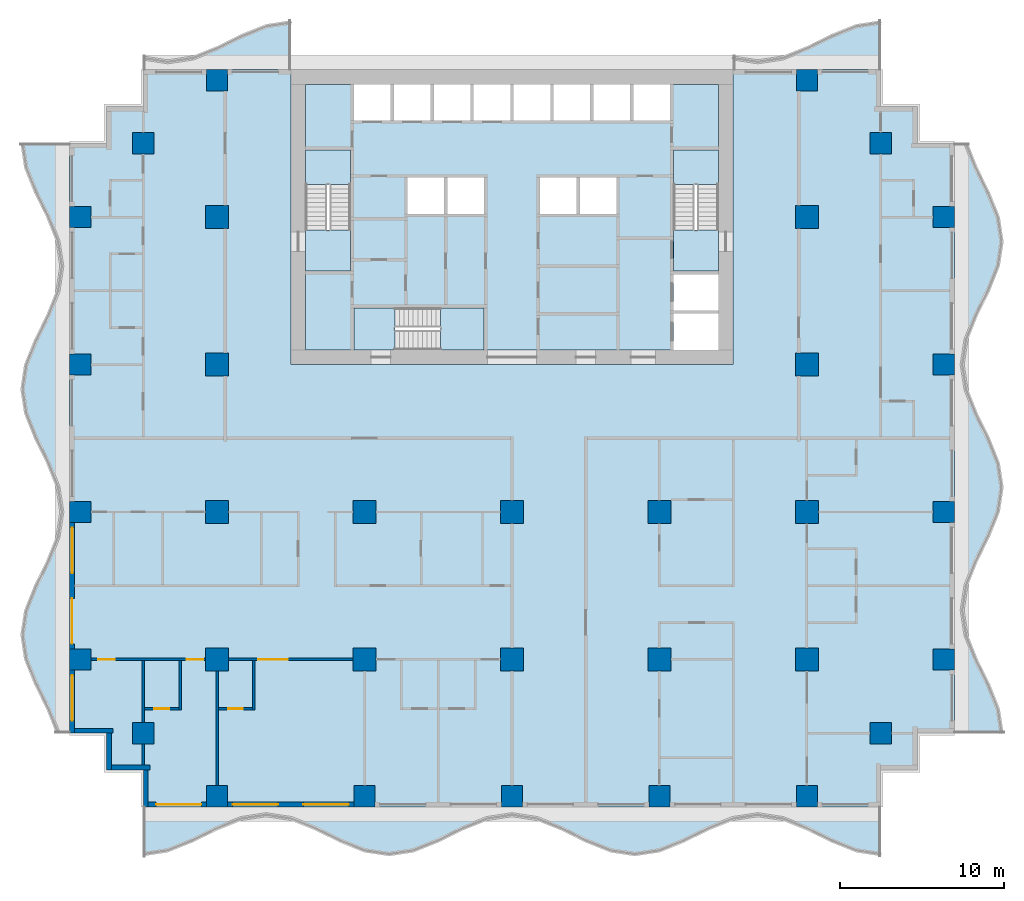
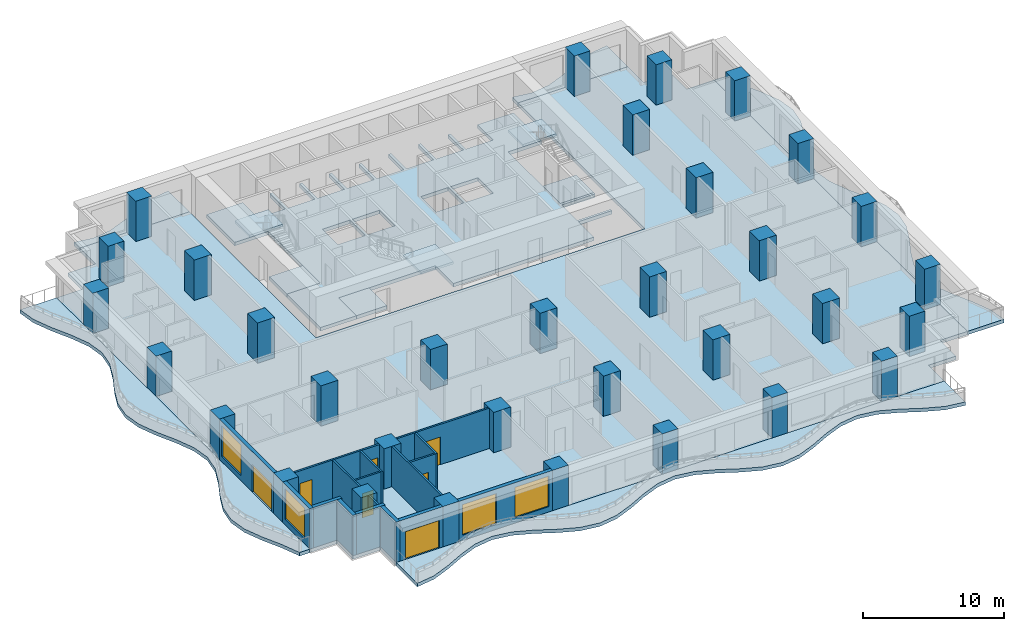
# One storey, part 1 of 14: 33 columns, 17 walls, 13 slabs, 7 doors, 4 windows, 11 openings, 3 elements without a shape of their own.
"""IFC4 building model written with IfcOpenShell, lengths in metres."""

from ifc_helpers import new_model, si_unit, direction, frame, frame_2d, origin, origin_2d, place, context, subcontext, project, spatial, polyline, rectangle, outline, extrude, material, layer, layer_set, material_profile, profile_set, type_object, element, fill, aggregate, save


model = new_model("IFC4")

# Units and contexts
model_context = context("Model", 3, precision=1e-05, world=origin(), true_north=direction((0.0, 1.0)))
body_context = subcontext(model_context, "Body", "Model", "MODEL_VIEW")
ifc_project = project(units=[si_unit("LENGTHUNIT", "METRE"), si_unit("AREAUNIT", "SQUARE_METRE"), si_unit("VOLUMEUNIT", "CUBIC_METRE"), si_unit("PLANEANGLEUNIT", "RADIAN"), si_unit("MASSUNIT", "GRAM", prefix="KILO")], contexts=[model_context])

# Site, building, storey
site_placement = place(None, origin())
site = spatial("IfcSite", under=ifc_project, at=site_placement, CompositionType="ELEMENT")
building_placement = place(site_placement, origin())
building = spatial("IfcBuilding", under=site, at=building_placement, Name="Orbiselva Terraces", CompositionType="ELEMENT")
storey_placement = place(building_placement, frame((0.0, 0.0, 84.6)))
storey = spatial("IfcBuildingStorey", under=building, at=storey_placement, Name="L21", CompositionType="ELEMENT", Elevation=84.6)

# Columns
ifc_material_1 = material(Name="Concrete C70/85", Category="concrete")
ifc_material_profile_1 = material_profile(ifc_material_1, rectangle(XDim=1.4, YDim=1.4, at=origin_2d()), Name="RC 1400x1400")
ifc_profile_set_1 = profile_set([ifc_material_profile_1], Name="Concrete C70/85")
column_type_1 = type_object("IfcColumnType", Name="COLUMN RC 1400x1400", PredefinedType="COLUMN", material=ifc_profile_set_1)
for number, where, z_axis, x_axis, name in (
    (1, (-18.0, -13.5, 0.0), (0.0, 0.0, 1.0), (1.0, 0.0, 0.0), "Column L21-01"),
    (2, (-18.0, -4.5, 0.0), (0.0, 0.0, 1.0), (1.0, 0.0, 0.0), "Column L21-03"),
    (3, (-18.0, 13.5, 0.0), (0.0, 0.0, 1.0), (1.0, 0.0, 0.0), "Column L21-04"),
    (4, (-18.0, 4.5, 0.0), (0.0, 0.0, 1.0), (1.0, 0.0, 0.0), "Column L21-06"),
    (5, (-9.0, -13.5, 0.0), (0.0, 0.0, 1.0), (1.0, 0.0, 0.0), "Column L21-13"),
    (6, (-9.0, -4.5, 0.0), (0.0, 0.0, 1.0), (1.0, 0.0, 0.0), "Column L21-15"),
    (7, (0.0, -13.5, 0.0), (0.0, 0.0, 1.0), (1.0, 0.0, 0.0), "Column L21-16"),
    (8, (0.0, -4.5, 0.0), (0.0, 0.0, 1.0), (1.0, 0.0, 0.0), "Column L21-18"),
    (9, (18.0, -13.5, 0.0), (0.0, 0.0, 1.0), (1.0, 0.0, 0.0), "Column L21-19"),
    (10, (18.0, -4.5, 0.0), (0.0, 0.0, 1.0), (1.0, 0.0, 0.0), "Column L21-21"),
    (11, (18.0, 13.5, 0.0), (0.0, 0.0, 1.0), (1.0, 0.0, 0.0), "Column L21-22"),
    (12, (18.0, 4.5, 0.0), (0.0, 0.0, 1.0), (1.0, 0.0, 0.0), "Column L21-24"),
    (13, (9.0, -13.5, 0.0), (0.0, 0.0, 1.0), (1.0, 0.0, 0.0), "Column L21-31"),
    (14, (9.0, -4.5, 0.0), (0.0, 0.0, 1.0), (1.0, 0.0, 0.0), "Column L21-33"),
):
    element("IfcColumn", number, at=place(storey_placement, frame(where, z_axis=z_axis, x_axis=x_axis)), inside=storey, type_object=column_type_1, Name=name, PredefinedType="COLUMN", context=body_context, shape_type="SweptSolid", body=[
        extrude(rectangle(XDim=1.4, YDim=1.4, at=origin_2d()), origin(), (0.0, 0.0, 1.0), 3.5),
    ])
ifc_material_profile_2 = material_profile(ifc_material_1, rectangle(XDim=1.3, YDim=1.3, at=origin_2d()), Name="RC 1300x1300")
ifc_profile_set_2 = profile_set([ifc_material_profile_2], Name="Concrete C70/85")
column_type_2 = type_object("IfcColumnType", Name="PERIMETER COLUMN RC 1300x1300", PredefinedType="COLUMN", material=ifc_profile_set_2)
for number, where, z_axis, x_axis, name in (
    (15, (-18.0, -21.85, 0.0), (0.0, 0.0, 1.0), (1.0, 0.0, 0.0), "Column L21-02"),
    (16, (-18.0, 21.85, 0.0), (0.0, 0.0, 1.0), (1.0, 0.0, 0.0), "Column L21-05"),
    (17, (-26.35, -13.5, 0.0), (0.0, 0.0, 1.0), (1.0, 0.0, 0.0), "Column L21-07"),
    (18, (-22.5, -18.0, 0.0), (0.0, 0.0, 1.0), (1.0, 0.0, 0.0), "Column L21-08"),
    (19, (-26.35, -4.5, 0.0), (0.0, 0.0, 1.0), (1.0, 0.0, 0.0), "Column L21-09"),
    (20, (-26.35, 13.5, 0.0), (0.0, 0.0, 1.0), (1.0, 0.0, 0.0), "Column L21-10"),
    (21, (-22.5, 18.0, 0.0), (0.0, 0.0, 1.0), (1.0, 0.0, 0.0), "Column L21-11"),
    (22, (-26.35, 4.5, 0.0), (0.0, 0.0, 1.0), (1.0, 0.0, 0.0), "Column L21-12"),
    (23, (-9.0, -21.85, 0.0), (0.0, 0.0, 1.0), (1.0, 0.0, 0.0), "Column L21-14"),
    (24, (0.0, -21.85, 0.0), (0.0, 0.0, 1.0), (1.0, 0.0, 0.0), "Column L21-17"),
    (25, (18.0, -21.85, 0.0), (0.0, 0.0, 1.0), (1.0, 0.0, 0.0), "Column L21-20"),
    (26, (18.0, 21.85, 0.0), (0.0, 0.0, 1.0), (1.0, 0.0, 0.0), "Column L21-23"),
    (27, (26.35, -13.5, 0.0), (0.0, 0.0, 1.0), (1.0, 0.0, 0.0), "Column L21-25"),
    (28, (22.5, -18.0, 0.0), (0.0, 0.0, 1.0), (1.0, 0.0, 0.0), "Column L21-26"),
    (29, (26.35, -4.5, 0.0), (0.0, 0.0, 1.0), (1.0, 0.0, 0.0), "Column L21-27"),
    (30, (26.35, 13.5, 0.0), (0.0, 0.0, 1.0), (1.0, 0.0, 0.0), "Column L21-28"),
    (31, (22.5, 18.0, 0.0), (0.0, 0.0, 1.0), (1.0, 0.0, 0.0), "Column L21-29"),
    (32, (26.35, 4.5, 0.0), (0.0, 0.0, 1.0), (1.0, 0.0, 0.0), "Column L21-30"),
    (33, (9.0, -21.85, 0.0), (0.0, 0.0, 1.0), (1.0, 0.0, 0.0), "Column L21-32"),
):
    element("IfcColumn", number, at=place(storey_placement, frame(where, z_axis=z_axis, x_axis=x_axis)), inside=storey, type_object=column_type_2, Name=name, PredefinedType="COLUMN", context=body_context, shape_type="SweptSolid", body=[
        extrude(rectangle(XDim=1.3, YDim=1.3, at=origin_2d()), origin(), (0.0, 0.0, 1.0), 3.5),
    ])

# Slabs
ifc_material_2 = material(Name="Concrete C40/50", Category="concrete")
ifc_layer_1 = layer(ifc_material_2, 0.3)
ifc_layer_set_1 = layer_set([ifc_layer_1], Name="Concrete C40/50")
slab_type_1 = type_object("IfcSlabType", Name="CORE-SLAB-FLOOR-300", PredefinedType="FLOOR", material=ifc_layer_set_1)
slab_1_placement = place(storey_placement, frame((0.0, 0.0, -0.3)))
element("IfcSlab", 34, at=slab_1_placement, inside=storey, type_object=slab_type_1, Name="L21 S1 floor landing", PredefinedType="FLOOR", context=body_context, shape_type="SweptSolid", body=[
    extrude(outline(polyline([(-12.6, 12.7), (-9.85, 12.7), (-9.85, 10.2), (-12.6, 10.2), (-12.6, 12.7)])), origin(), (0.0, 0.0, 1.0), 0.3),
])
slab_2_placement = place(storey_placement, frame((0.0, 0.0, -0.3)))
element("IfcSlab", 35, at=slab_2_placement, inside=storey, type_object=slab_type_1, Name="L21 S2 floor landing", PredefinedType="FLOOR", context=body_context, shape_type="SweptSolid", body=[
    extrude(outline(polyline([(12.6, 12.7), (12.6, 10.2), (9.85, 10.2), (9.85, 12.7), (12.6, 12.7)])), origin(), (0.0, 0.0, 1.0), 0.3),
])
slab_3_placement = place(storey_placement, frame((0.0, 0.0, -0.3)))
element("IfcSlab", 36, at=slab_3_placement, inside=storey, type_object=slab_type_1, Name="L21 S3 floor landing", PredefinedType="FLOOR", context=body_context, shape_type="SweptSolid", body=[
    extrude(outline(polyline([(-7.15, 5.4), (-9.65, 5.4), (-9.65, 7.95), (-7.15, 7.95), (-7.15, 5.4)])), origin(), (0.0, 0.0, 1.0), 0.3),
])
slab_4_placement = place(storey_placement, frame((0.0, 0.0, -0.3)))
element("IfcSlab", 37, at=slab_4_placement, inside=storey, type_object=slab_type_1, Name="L21 core floor slab 1", PredefinedType="FLOOR", context=body_context, shape_type="SweptSolid", body=[
    extrude(outline(polyline([(-1.7, 5.4), (-1.7, 7.95), (-9.65, 7.95), (-9.65, 5.4), (-12.6, 5.4), (-12.6, 10.2), (-9.85, 10.2), (-9.85, 17.6), (-12.6, 17.6), (-12.6, 21.6), (-9.65, 21.6), (-9.65, 19.4), (-7.4125, 19.4), (-7.4125, 21.6), (-7.2125, 21.6), (-7.2125, 19.4), (-4.975, 19.4), (-4.975, 21.6), (-4.775, 21.6), (-4.775, 19.4), (-2.5375, 19.4), (-2.5375, 21.6), (-2.3375, 21.6), (-2.3375, 19.4), (-0.1, 19.4), (-0.1, 21.6), (0.1, 21.6), (0.1, 19.4), (2.3375, 19.4), (2.3375, 21.6), (2.5375, 21.6), (2.5375, 19.4), (4.775, 19.4), (4.775, 21.6), (4.975, 21.6), (4.975, 19.4), (7.2125, 19.4), (7.2125, 21.6), (7.4125, 21.6), (7.4125, 19.4), (9.65, 19.4), (9.65, 21.6), (12.6, 21.6), (12.6, 17.6), (9.85, 17.6), (9.85, 10.2), (12.6, 10.2), (12.6, 10.0), (9.85, 10.0), (9.85, 7.8), (12.6, 7.8), (12.6, 7.6), (9.85, 7.6), (9.85, 5.4), (-1.7, 5.4)]), holes=[polyline([(-4.1375, 13.7), (-4.1375, 15.9), (-6.375, 15.9), (-6.375, 13.7), (-4.1375, 13.7)]), polyline([(-1.7, 13.7), (-1.7, 15.9), (-3.9375, 15.9), (-3.9375, 13.7), (-1.7, 13.7)]), polyline([(3.9375, 13.7), (3.9375, 15.9), (1.7, 15.9), (1.7, 13.7), (3.9375, 13.7)]), polyline([(6.375, 13.7), (6.375, 15.9), (4.1375, 15.9), (4.1375, 13.7), (6.375, 13.7)])]), origin(), (0.0, 0.0, 1.0), 0.3),
])

# Stair, slab
stair_type_1 = type_object("IfcStairType", Name="CORE-STAIR-1300", PredefinedType="HALF_TURN_STAIR", material=ifc_material_2)
stair_1_placement = place(storey_placement, origin())
stair_1 = element("IfcStair", 38, at=stair_1_placement, inside=storey, type_object=stair_type_1, Name="L21 Exit Stair S1", PredefinedType="HALF_TURN_STAIR")
ifc_layer_2 = layer(ifc_material_2, 0.2)
ifc_layer_set_2 = layer_set([ifc_layer_2], Name="Concrete C40/50")
slab_type_2 = type_object("IfcSlabType", Name="CORE-STAIR-LANDING-200", PredefinedType="LANDING", material=ifc_layer_set_2)
slab_5_placement = place(storey_placement, frame((0.0, 0.0, 1.7)))
slab_5 = element("IfcSlab", 39, at=slab_5_placement, type_object=slab_type_2, Name="S1 landing 1", PredefinedType="LANDING", context=body_context, shape_type="SweptSolid", body=[
    extrude(outline(polyline([(-9.85, 15.5), (-9.85, 17.6), (-12.6, 17.6), (-12.6, 15.5), (-9.85, 15.5)])), origin(), (0.0, 0.0, 1.0), 0.2),
])
aggregate(stair_1, [slab_5])

stair_2_placement = place(storey_placement, origin())
stair_2 = element("IfcStair", 40, at=stair_2_placement, inside=storey, type_object=stair_type_1, Name="L21 Exit Stair S2", PredefinedType="HALF_TURN_STAIR")
slab_6_placement = place(storey_placement, frame((0.0, 0.0, 1.7)))
slab_6 = element("IfcSlab", 41, at=slab_6_placement, type_object=slab_type_2, Name="S2 landing 1", PredefinedType="LANDING", context=body_context, shape_type="SweptSolid", body=[
    extrude(outline(polyline([(12.6, 15.5), (12.6, 17.6), (9.85, 17.6), (9.85, 15.5), (12.6, 15.5)])), origin(), (0.0, 0.0, 1.0), 0.2),
])
aggregate(stair_2, [slab_6])

stair_type_2 = type_object("IfcStairType", Name="CORE-STAIR-1200", PredefinedType="HALF_TURN_STAIR", material=ifc_material_2)
stair_3_placement = place(storey_placement, origin())
stair_3 = element("IfcStair", 42, at=stair_3_placement, inside=storey, type_object=stair_type_2, Name="L21 Exit Stair S3", PredefinedType="HALF_TURN_STAIR")
slab_7_placement = place(storey_placement, frame((0.0, 0.0, 1.7)))
slab_7 = element("IfcSlab", 43, at=slab_7_placement, type_object=slab_type_2, Name="S3 landing 1", PredefinedType="LANDING", context=body_context, shape_type="SweptSolid", body=[
    extrude(outline(polyline([(-4.35, 5.4), (-1.7, 5.4), (-1.7, 7.95), (-4.35, 7.95), (-4.35, 5.4)])), origin(), (0.0, 0.0, 1.0), 0.2),
])
aggregate(stair_3, [slab_7])

# Slabs
ifc_material_3 = material(Name="Concrete C50/60", Category="concrete")
ifc_layer_3 = layer(ifc_material_3, 0.3)
ifc_layer_set_3 = layer_set([ifc_layer_3], Name="Concrete C50/60")
slab_type_3 = type_object("IfcSlabType", Name="ENV-BALCONY-SLAB-300", PredefinedType="FLOOR", material=ifc_layer_set_3)
slab_8_placement = place(storey_placement, frame((0.0, 0.0, -0.3)))
element("IfcSlab", 44, at=slab_8_placement, inside=storey, type_object=slab_type_3, Name="Balcony slab L21 S", PredefinedType="FLOOR", context=body_context, shape_type="SweptSolid", body=[
    extrude(outline(polyline([(-22.5, -25.5), (-21.0, -25.27082), (-19.5, -24.67082), (-18.0, -23.92918), (-16.5, -23.32918), (-15.0, -23.1), (-13.5, -23.32918), (-12.0, -23.92918), (-10.5, -24.67082), (-9.0, -25.27082), (-7.5, -25.5), (-6.0, -25.27082), (-4.5, -24.67082), (-3.0, -23.92918), (-1.5, -23.32918), (0.0, -23.1), (1.5, -23.32918), (3.0, -23.92918), (4.5, -24.67082), (6.0, -25.27082), (7.5, -25.5), (9.0, -25.27082), (10.5, -24.67082), (12.0, -23.92918), (13.5, -23.32918), (15.0, -23.1), (16.5, -23.32918), (18.0, -23.92918), (19.5, -24.67082), (21.0, -25.27082), (22.5, -25.5), (22.5, -22.5), (-22.5, -22.5), (-22.5, -25.5)])), origin(), (0.0, 0.0, 1.0), 0.3),
])
slab_9_placement = place(storey_placement, frame((0.0, 0.0, -0.3)))
element("IfcSlab", 45, at=slab_9_placement, inside=storey, type_object=slab_type_3, Name="Balcony slab L21 E", PredefinedType="FLOOR", context=body_context, shape_type="SweptSolid", body=[
    extrude(outline(polyline([(30.0, -18.0), (29.77082, -16.5), (29.17082, -15.0), (28.42918, -13.5), (27.82918, -12.0), (27.6, -10.5), (27.82918, -9.0), (28.42918, -7.5), (29.17082, -6.0), (29.77082, -4.5), (30.0, -3.0), (29.77082, -1.5), (29.17082, 0.0), (28.42918, 1.5), (27.82918, 3.0), (27.6, 4.5), (27.82918, 6.0), (28.42918, 7.5), (29.17082, 9.0), (29.77082, 10.5), (30.0, 12.0), (29.77082, 13.5), (29.17082, 15.0), (28.42918, 16.5), (27.82918, 18.0), (27.0, 18.0), (27.0, -18.0), (30.0, -18.0)])), origin(), (0.0, 0.0, 1.0), 0.3),
])
slab_10_placement = place(storey_placement, frame((0.0, 0.0, -0.3)))
element("IfcSlab", 46, at=slab_10_placement, inside=storey, type_object=slab_type_3, Name="Balcony slab L21 NE", PredefinedType="FLOOR", context=body_context, shape_type="SweptSolid", body=[
    extrude(outline(polyline([(22.5, 25.5), (21.0, 25.27082), (19.5, 24.67082), (18.0, 23.92918), (16.5, 23.32918), (15.0, 23.1), (13.5, 23.32918), (13.5, 22.5), (22.5, 22.5), (22.5, 25.5)])), origin(), (0.0, 0.0, 1.0), 0.3),
])
slab_11_placement = place(storey_placement, frame((0.0, 0.0, -0.3)))
element("IfcSlab", 47, at=slab_11_placement, inside=storey, type_object=slab_type_3, Name="Balcony slab L21 NW", PredefinedType="FLOOR", context=body_context, shape_type="SweptSolid", body=[
    extrude(outline(polyline([(-13.5, 25.5), (-15.0, 25.27082), (-16.5, 24.67082), (-18.0, 23.92918), (-19.5, 23.32918), (-21.0, 23.1), (-22.5, 23.32918), (-22.5, 22.5), (-13.5, 22.5), (-13.5, 25.5)])), origin(), (0.0, 0.0, 1.0), 0.3),
])
slab_12_placement = place(storey_placement, frame((0.0, 0.0, -0.3)))
element("IfcSlab", 48, at=slab_12_placement, inside=storey, type_object=slab_type_3, Name="Balcony slab L21 W", PredefinedType="FLOOR", context=body_context, shape_type="SweptSolid", body=[
    extrude(outline(polyline([(-30.0, 18.0), (-29.77082, 16.5), (-29.17082, 15.0), (-28.42918, 13.5), (-27.82918, 12.0), (-27.6, 10.5), (-27.82918, 9.0), (-28.42918, 7.5), (-29.17082, 6.0), (-29.77082, 4.5), (-30.0, 3.0), (-29.77082, 1.5), (-29.17082, 0.0), (-28.42918, -1.5), (-27.82918, -3.0), (-27.6, -4.5), (-27.82918, -6.0), (-28.42918, -7.5), (-29.17082, -9.0), (-29.77082, -10.5), (-30.0, -12.0), (-29.77082, -13.5), (-29.17082, -15.0), (-28.42918, -16.5), (-27.82918, -18.0), (-27.0, -18.0), (-27.0, 18.0), (-30.0, 18.0)])), origin(), (0.0, 0.0, 1.0), 0.3),
])
ifc_layer_4 = layer(ifc_material_3, 0.3)
ifc_layer_set_4 = layer_set([ifc_layer_4], Name="Concrete C50/60")
slab_type_4 = type_object("IfcSlabType", Name="FLOOR SLAB 300", PredefinedType="FLOOR", material=ifc_layer_set_4)
slab_13_placement = place(storey_placement, frame((0.0, 0.0, -0.3)))
element("IfcSlab", 49, at=slab_13_placement, inside=storey, type_object=slab_type_4, Name="Floor slab L21", PredefinedType="FLOOR", context=body_context, shape_type="SweptSolid", body=[
    extrude(outline(polyline([(22.5, 22.5), (22.5, 20.25), (24.75, 20.25), (24.75, 18.0), (27.0, 18.0), (27.0, -18.0), (24.75, -18.0), (24.75, -20.25), (22.5, -20.25), (22.5, -22.5), (-22.5, -22.5), (-22.5, -20.25), (-24.75, -20.25), (-24.75, -18.0), (-27.0, -18.0), (-27.0, 18.0), (-24.75, 18.0), (-24.75, 20.25), (-22.5, 20.25), (-22.5, 22.5), (-13.5, 22.5), (-13.5, 4.5), (13.5, 4.5), (13.5, 22.5), (22.5, 22.5)])), origin(), (0.0, 0.0, 1.0), 0.3),
])

# Wall, opening, door
ifc_material_4 = material(Name="Terracotta cladding on masonry backing", Category="masonry")
ifc_layer_5 = layer(ifc_material_4, 0.3)
ifc_layer_set_5 = layer_set([ifc_layer_5], Name="Terracotta cladding on masonry backing")
wall_type_1 = type_object("IfcWallType", Name="ENV-WALL-TERRACOTTA-300", PredefinedType="SOLIDWALL", material=ifc_layer_set_5)
wall_1_placement = place(storey_placement, frame((-18.65, -22.35, 0.0), z_axis=(0.0, 0.0, 1.0), x_axis=(-1.0, 0.0, 0.0)))
wall_1 = element("IfcWall", 50, at=wall_1_placement, inside=storey, type_object=wall_type_1, Name="Facade wall L21 S", PredefinedType="SOLIDWALL", context=body_context, shape_type="SweptSolid", body=[
    extrude(rectangle(XDim=3.55, YDim=0.3, at=frame_2d((1.775, 0.0))), origin(), (0.0, 0.0, 1.0), 3.5),
])
opening_1_placement = place(wall_1_placement, frame((0.3, 0.0, 0.0)))
opening_1 = element("IfcOpeningElement", 51, at=opening_1_placement, cuts=wall_1, Name="Opening Z2-B-E01", PredefinedType="OPENING", context=body_context, shape_type="SweptSolid", body=[
    extrude(rectangle(XDim=2.775, YDim=2.4, at=frame_2d((1.3875, 1.2))), frame((0.0, 0.16, 0.0), z_axis=(0.0, -1.0, 0.0), x_axis=(1.0, 0.0, 0.0)), (0.0, 0.0, 1.0), 0.32),
])
ifc_material_5 = material(Name="Clear low-e glazing in aluminium frame", Category="aluminium")
door_type_1 = type_object("IfcDoorType", Name="BALCONY DOOR 2775 X 2400", OperationType="DOUBLE_DOOR_SLIDING", PredefinedType="DOOR", material=ifc_material_5)
door_1_placement = place(opening_1_placement, origin())
door_1 = element("IfcDoor", 52, at=door_1_placement, inside=storey, type_object=door_type_1, Name="Z2-B-E01", OperationType="SINGLE_SWING_LEFT", OverallHeight=2.4, OverallWidth=2.775, PredefinedType="DOOR", context=body_context, shape_type="SweptSolid", body=[
    extrude(rectangle(XDim=2.775, YDim=2.4, at=frame_2d((1.3875, 1.2))), frame((0.0, 0.025, 0.0), z_axis=(0.0, -1.0, 0.0), x_axis=(1.0, 0.0, 0.0)), (0.0, 0.0, 1.0), 0.05),
])
fill(opening_1, door_1)

# Wall, openings, windows
wall_2_placement = place(storey_placement, frame((-9.65, -22.35, 0.0), z_axis=(0.0, 0.0, 1.0), x_axis=(-1.0, 0.0, 0.0)))
wall_2 = element("IfcWall", 53, at=wall_2_placement, inside=storey, type_object=wall_type_1, Name="Facade wall L21 S", PredefinedType="SOLIDWALL", context=body_context, shape_type="SweptSolid", body=[
    extrude(rectangle(XDim=7.7, YDim=0.3, at=frame_2d((3.85, 0.0))), origin(), (0.0, 0.0, 1.0), 3.5),
])
opening_2_placement = place(wall_2_placement, frame((4.625, 0.0, 0.45)))
opening_2 = element("IfcOpeningElement", 54, at=opening_2_placement, cuts=wall_2, Name="Opening WN6", PredefinedType="OPENING", context=body_context, shape_type="SweptSolid", body=[
    extrude(rectangle(XDim=2.775, YDim=2.65, at=frame_2d((1.3875, 1.325))), frame((0.0, 0.16, 0.0), z_axis=(0.0, -1.0, 0.0), x_axis=(1.0, 0.0, 0.0)), (0.0, 0.0, 1.0), 0.32),
])
opening_3_placement = place(wall_2_placement, frame((0.3, 0.0, 0.45)))
opening_3 = element("IfcOpeningElement", 55, at=opening_3_placement, cuts=wall_2, Name="Opening WN6", PredefinedType="OPENING", context=body_context, shape_type="SweptSolid", body=[
    extrude(rectangle(XDim=2.775, YDim=2.65, at=frame_2d((1.3875, 1.325))), frame((0.0, 0.16, 0.0), z_axis=(0.0, -1.0, 0.0), x_axis=(1.0, 0.0, 0.0)), (0.0, 0.0, 1.0), 0.32),
])
window_type = type_object("IfcWindowType", Name="WINDOW 2775 X 2650 S450", PartitioningType="TRIPLE_PANEL_VERTICAL", PredefinedType="WINDOW", material=ifc_material_5)
window_1_placement = place(opening_2_placement, origin())
window_1 = element("IfcWindow", 56, at=window_1_placement, inside=storey, type_object=window_type, Name="Window L21 S", OverallHeight=2.65, OverallWidth=2.775, PartitioningType="SINGLE_PANEL", PredefinedType="WINDOW", context=body_context, shape_type="SweptSolid", body=[
    extrude(rectangle(XDim=2.775, YDim=2.65, at=frame_2d((1.3875, 1.325))), frame((0.0, 0.03, 0.0), z_axis=(0.0, -1.0, 0.0), x_axis=(1.0, 0.0, 0.0)), (0.0, 0.0, 1.0), 0.06),
])
fill(opening_2, window_1)
window_2_placement = place(opening_3_placement, origin())
window_2 = element("IfcWindow", 57, at=window_2_placement, inside=storey, type_object=window_type, Name="Window L21 S", OverallHeight=2.65, OverallWidth=2.775, PartitioningType="SINGLE_PANEL", PredefinedType="WINDOW", context=body_context, shape_type="SweptSolid", body=[
    extrude(rectangle(XDim=2.775, YDim=2.65, at=frame_2d((1.3875, 1.325))), frame((0.0, 0.03, 0.0), z_axis=(0.0, -1.0, 0.0), x_axis=(1.0, 0.0, 0.0)), (0.0, 0.0, 1.0), 0.06),
])
fill(opening_3, window_2)

# Wall, openings, door, window
wall_3_placement = place(storey_placement, frame((-26.85, -12.85, 0.0), z_axis=(0.0, 0.0, 1.0), x_axis=(0.0, 1.0, 0.0)))
wall_3 = element("IfcWall", 58, at=wall_3_placement, inside=storey, type_object=wall_type_1, Name="Facade wall L21 W", PredefinedType="SOLIDWALL", context=body_context, shape_type="SweptSolid", body=[
    extrude(rectangle(XDim=7.7, YDim=0.3, at=frame_2d((3.85, 0.0))), origin(), (0.0, 0.0, 1.0), 3.5),
])
opening_4_placement = place(wall_3_placement, frame((4.625, 0.0, 0.45)))
opening_4 = element("IfcOpeningElement", 59, at=opening_4_placement, cuts=wall_3, Name="Opening WN6", PredefinedType="OPENING", context=body_context, shape_type="SweptSolid", body=[
    extrude(rectangle(XDim=2.775, YDim=2.65, at=frame_2d((1.3875, 1.325))), frame((0.0, 0.16, 0.0), z_axis=(0.0, -1.0, 0.0), x_axis=(1.0, 0.0, 0.0)), (0.0, 0.0, 1.0), 0.32),
])
opening_5_placement = place(wall_3_placement, frame((0.3, 0.0, 0.0)))
opening_5 = element("IfcOpeningElement", 60, at=opening_5_placement, cuts=wall_3, Name="Opening Z2-B-E13", PredefinedType="OPENING", context=body_context, shape_type="SweptSolid", body=[
    extrude(rectangle(XDim=2.775, YDim=2.4, at=frame_2d((1.3875, 1.2))), frame((0.0, 0.16, 0.0), z_axis=(0.0, -1.0, 0.0), x_axis=(1.0, 0.0, 0.0)), (0.0, 0.0, 1.0), 0.32),
])
door_2_placement = place(opening_5_placement, origin())
door_2 = element("IfcDoor", 61, at=door_2_placement, inside=storey, type_object=door_type_1, Name="Z2-B-E13", OperationType="SINGLE_SWING_LEFT", OverallHeight=2.4, OverallWidth=2.775, PredefinedType="DOOR", context=body_context, shape_type="SweptSolid", body=[
    extrude(rectangle(XDim=2.775, YDim=2.4, at=frame_2d((1.3875, 1.2))), frame((0.0, 0.025, 0.0), z_axis=(0.0, -1.0, 0.0), x_axis=(1.0, 0.0, 0.0)), (0.0, 0.0, 1.0), 0.05),
])
fill(opening_5, door_2)
window_3_placement = place(opening_4_placement, origin())
window_3 = element("IfcWindow", 62, at=window_3_placement, inside=storey, type_object=window_type, Name="Window L21 W", OverallHeight=2.65, OverallWidth=2.775, PartitioningType="SINGLE_PANEL", PredefinedType="WINDOW", context=body_context, shape_type="SweptSolid", body=[
    extrude(rectangle(XDim=2.775, YDim=2.65, at=frame_2d((1.3875, 1.325))), frame((0.0, 0.03, 0.0), z_axis=(0.0, -1.0, 0.0), x_axis=(1.0, 0.0, 0.0)), (0.0, 0.0, 1.0), 0.06),
])
fill(opening_4, window_3)

# Wall, opening, window
wall_4_placement = place(storey_placement, frame((-26.85, -18.0, 0.0), z_axis=(0.0, 0.0, 1.0), x_axis=(0.0, 1.0, 0.0)))
wall_4 = element("IfcWall", 63, at=wall_4_placement, inside=storey, type_object=wall_type_1, Name="Facade wall L21 W", PredefinedType="SOLIDWALL", context=body_context, shape_type="SweptSolid", body=[
    extrude(rectangle(XDim=3.85, YDim=0.3, at=frame_2d((1.925, 0.0))), origin(), (0.0, 0.0, 1.0), 3.5),
])
opening_6_placement = place(wall_4_placement, frame((0.775, 0.0, 0.45)))
opening_6 = element("IfcOpeningElement", 64, at=opening_6_placement, cuts=wall_4, Name="Opening WN6", PredefinedType="OPENING", context=body_context, shape_type="SweptSolid", body=[
    extrude(rectangle(XDim=2.775, YDim=2.65, at=frame_2d((1.3875, 1.325))), frame((0.0, 0.16, 0.0), z_axis=(0.0, -1.0, 0.0), x_axis=(1.0, 0.0, 0.0)), (0.0, 0.0, 1.0), 0.32),
])
window_4_placement = place(opening_6_placement, origin())
window_4 = element("IfcWindow", 65, at=window_4_placement, inside=storey, type_object=window_type, Name="Window L21 W", OverallHeight=2.65, OverallWidth=2.775, PartitioningType="SINGLE_PANEL", PredefinedType="WINDOW", context=body_context, shape_type="SweptSolid", body=[
    extrude(rectangle(XDim=2.775, YDim=2.65, at=frame_2d((1.3875, 1.325))), frame((0.0, 0.03, 0.0), z_axis=(0.0, -1.0, 0.0), x_axis=(1.0, 0.0, 0.0)), (0.0, 0.0, 1.0), 0.06),
])
fill(opening_6, window_4)

# Walls
wall_5_placement = place(storey_placement, frame((-24.35, -17.85, 0.0), z_axis=(0.0, 0.0, 1.0), x_axis=(-1.0, 0.0, 0.0)))
element("IfcWall", 66, at=wall_5_placement, inside=storey, type_object=wall_type_1, Name="Facade wall L21 STEP", PredefinedType="SOLIDWALL", context=body_context, shape_type="SweptSolid", body=[
    extrude(rectangle(XDim=2.35, YDim=0.3, at=frame_2d((1.175, 0.0))), origin(), (0.0, 0.0, 1.0), 3.5),
])
wall_6_placement = place(storey_placement, frame((-24.6, -20.25, 0.0), z_axis=(0.0, 0.0, 1.0), x_axis=(0.0, 1.0, 0.0)))
element("IfcWall", 67, at=wall_6_placement, inside=storey, type_object=wall_type_1, Name="Facade wall L21 STEP", PredefinedType="SOLIDWALL", context=body_context, shape_type="SweptSolid", body=[
    extrude(rectangle(XDim=2.25, YDim=0.3, at=frame_2d((1.125, 0.0))), origin(), (0.0, 0.0, 1.0), 3.5),
])
wall_7_placement = place(storey_placement, frame((-22.1, -20.1, 0.0), z_axis=(0.0, 0.0, 1.0), x_axis=(-1.0, 0.0, 0.0)))
element("IfcWall", 68, at=wall_7_placement, inside=storey, type_object=wall_type_1, Name="Facade wall L21 STEP", PredefinedType="SOLIDWALL", context=body_context, shape_type="SweptSolid", body=[
    extrude(rectangle(XDim=2.35, YDim=0.3, at=frame_2d((1.175, 0.0))), origin(), (0.0, 0.0, 1.0), 3.5),
])
wall_8_placement = place(storey_placement, frame((-22.35, -22.5, 0.0), z_axis=(0.0, 0.0, 1.0), x_axis=(0.0, 1.0, 0.0)))
element("IfcWall", 69, at=wall_8_placement, inside=storey, type_object=wall_type_1, Name="Facade wall L21 STEP", PredefinedType="SOLIDWALL", context=body_context, shape_type="SweptSolid", body=[
    extrude(rectangle(XDim=2.25, YDim=0.3, at=frame_2d((1.125, 0.0))), origin(), (0.0, 0.0, 1.0), 3.5),
])

# Wall, opening, door
ifc_material_6 = material(Name="Plasterboard on steel stud partition", Category="steel")
ifc_layer_6 = layer(ifc_material_6, 0.15)
ifc_layer_set_6 = layer_set([ifc_layer_6], Name="Plasterboard on steel stud partition")
wall_type_2 = type_object("IfcWallType", Name="UNIT-PARTITION-150", PredefinedType="PARTITIONING", material=ifc_layer_set_6)
wall_9_placement = place(storey_placement, frame((-22.425, -16.5, 0.0), z_axis=(0.0, 0.0, 1.0), x_axis=(1.0, 0.0, 0.0)))
wall_9 = element("IfcWall", 70, at=wall_9_placement, inside=storey, type_object=wall_type_2, Name="PARTITION L21-004", PredefinedType="PARTITIONING", context=body_context, shape_type="SweptSolid", body=[
    extrude(rectangle(XDim=2.1, YDim=0.15, at=frame_2d((1.05, 0.0))), origin(), (0.0, 0.0, 1.0), 3.5),
])
opening_7_placement = place(wall_9_placement, frame((0.6, 0.0, 0.0)))
opening_7 = element("IfcOpeningElement", 71, at=opening_7_placement, cuts=wall_9, Name="Opening Z2-B-25", PredefinedType="OPENING", context=body_context, shape_type="SweptSolid", body=[
    extrude(rectangle(XDim=0.9, YDim=2.1, at=frame_2d((0.45, 1.05))), frame((0.0, 0.085, 0.0), z_axis=(0.0, -1.0, 0.0), x_axis=(1.0, 0.0, 0.0)), (0.0, 0.0, 1.0), 0.17),
])
ifc_material_7 = material(Name="Painted timber door leaf", Category="wood")
door_type_2 = type_object("IfcDoorType", Name="BATH DOOR 900", OperationType="NOTDEFINED", PredefinedType="DOOR", material=ifc_material_7)
door_3_placement = place(opening_7_placement, origin())
door_3 = element("IfcDoor", 72, at=door_3_placement, inside=storey, type_object=door_type_2, Name="Z2-B-25", OperationType="SINGLE_SWING_LEFT", OverallHeight=2.1, OverallWidth=0.9, PredefinedType="DOOR", context=body_context, shape_type="SweptSolid", body=[
    extrude(rectangle(XDim=0.9, YDim=2.1, at=frame_2d((0.45, 1.05))), frame((0.0, 0.025, 0.0), z_axis=(0.0, -1.0, 0.0), x_axis=(1.0, 0.0, 0.0)), (0.0, 0.0, 1.0), 0.05),
])
fill(opening_7, door_3)

wall_10_placement = place(storey_placement, frame((-17.925, -16.5, 0.0), z_axis=(0.0, 0.0, 1.0), x_axis=(1.0, 0.0, 0.0)))
wall_10 = element("IfcWall", 73, at=wall_10_placement, inside=storey, type_object=wall_type_2, Name="PARTITION L21-005", PredefinedType="PARTITIONING", context=body_context, shape_type="SweptSolid", body=[
    extrude(rectangle(XDim=2.1, YDim=0.15, at=frame_2d((1.05, 0.0))), origin(), (0.0, 0.0, 1.0), 3.5),
])
opening_8_placement = place(wall_10_placement, frame((0.6, 0.0, 0.0)))
opening_8 = element("IfcOpeningElement", 74, at=opening_8_placement, cuts=wall_10, Name="Opening Z2-B-27", PredefinedType="OPENING", context=body_context, shape_type="SweptSolid", body=[
    extrude(rectangle(XDim=0.9, YDim=2.1, at=frame_2d((0.45, 1.05))), frame((0.0, 0.085, 0.0), z_axis=(0.0, -1.0, 0.0), x_axis=(1.0, 0.0, 0.0)), (0.0, 0.0, 1.0), 0.17),
])
door_4_placement = place(opening_8_placement, origin())
door_4 = element("IfcDoor", 75, at=door_4_placement, inside=storey, type_object=door_type_2, Name="Z2-B-27", OperationType="SINGLE_SWING_LEFT", OverallHeight=2.1, OverallWidth=0.9, PredefinedType="DOOR", context=body_context, shape_type="SweptSolid", body=[
    extrude(rectangle(XDim=0.9, YDim=2.1, at=frame_2d((0.45, 1.05))), frame((0.0, 0.025, 0.0), z_axis=(0.0, -1.0, 0.0), x_axis=(1.0, 0.0, 0.0)), (0.0, 0.0, 1.0), 0.05),
])
fill(opening_8, door_4)

# Wall, openings, doors
wall_11_placement = place(storey_placement, frame((-18.7, -13.5, 0.0), z_axis=(0.0, 0.0, 1.0), x_axis=(-1.0, 0.0, 0.0)))
wall_11 = element("IfcWall", 76, at=wall_11_placement, inside=storey, type_object=wall_type_2, Name="PARTITION L21-008", PredefinedType="PARTITIONING", context=body_context, shape_type="SweptSolid", body=[
    extrude(rectangle(XDim=7.0, YDim=0.15, at=frame_2d((3.5, 0.0))), origin(), (0.0, 0.0, 1.0), 3.5),
])
opening_9_placement = place(wall_11_placement, frame((5.55, 0.0, 0.0)))
opening_9 = element("IfcOpeningElement", 77, at=opening_9_placement, cuts=wall_11, Name="Opening Z2-B-23", PredefinedType="OPENING", context=body_context, shape_type="SweptSolid", body=[
    extrude(rectangle(XDim=1.0, YDim=2.4, at=frame_2d((0.5, 1.2))), frame((0.0, 0.085, 0.0), z_axis=(0.0, -1.0, 0.0), x_axis=(1.0, 0.0, 0.0)), (0.0, 0.0, 1.0), 0.17),
])
opening_10_placement = place(wall_11_placement, frame((0.15, 0.0, 0.0)))
opening_10 = element("IfcOpeningElement", 78, at=opening_10_placement, cuts=wall_11, Name="Opening Z2-B-24", PredefinedType="OPENING", context=body_context, shape_type="SweptSolid", body=[
    extrude(rectangle(XDim=1.0, YDim=2.4, at=frame_2d((0.5, 1.2))), frame((0.0, 0.085, 0.0), z_axis=(0.0, -1.0, 0.0), x_axis=(1.0, 0.0, 0.0)), (0.0, 0.0, 1.0), 0.17),
])
door_type_3 = type_object("IfcDoorType", Name="ROOM DOOR 1000", OperationType="NOTDEFINED", PredefinedType="DOOR", material=ifc_material_7)
door_5_placement = place(opening_9_placement, origin())
door_5 = element("IfcDoor", 79, at=door_5_placement, inside=storey, type_object=door_type_3, Name="Z2-B-23", OperationType="SINGLE_SWING_RIGHT", OverallHeight=2.4, OverallWidth=1.0, PredefinedType="DOOR", context=body_context, shape_type="SweptSolid", body=[
    extrude(rectangle(XDim=1.0, YDim=2.4, at=frame_2d((0.5, 1.2))), frame((0.0, 0.025, 0.0), z_axis=(0.0, -1.0, 0.0), x_axis=(1.0, 0.0, 0.0)), (0.0, 0.0, 1.0), 0.05),
])
fill(opening_9, door_5)
door_6_placement = place(opening_10_placement, origin())
door_6 = element("IfcDoor", 80, at=door_6_placement, inside=storey, type_object=door_type_3, Name="Z2-B-24", OperationType="SINGLE_SWING_LEFT", OverallHeight=2.4, OverallWidth=1.0, PredefinedType="DOOR", context=body_context, shape_type="SweptSolid", body=[
    extrude(rectangle(XDim=1.0, YDim=2.4, at=frame_2d((0.5, 1.2))), frame((0.0, 0.025, 0.0), z_axis=(0.0, -1.0, 0.0), x_axis=(1.0, 0.0, 0.0)), (0.0, 0.0, 1.0), 0.05),
])
fill(opening_10, door_6)

# Wall, opening, door
wall_12_placement = place(storey_placement, frame((-9.7, -13.5, 0.0), z_axis=(0.0, 0.0, 1.0), x_axis=(-1.0, 0.0, 0.0)))
wall_12 = element("IfcWall", 81, at=wall_12_placement, inside=storey, type_object=wall_type_2, Name="PARTITION L21-009", PredefinedType="PARTITIONING", context=body_context, shape_type="SweptSolid", body=[
    extrude(rectangle(XDim=7.6, YDim=0.15, at=frame_2d((3.8, 0.0))), origin(), (0.0, 0.0, 1.0), 3.5),
])
opening_11_placement = place(wall_12_placement, frame((4.0, 0.0, 0.0)))
opening_11 = element("IfcOpeningElement", 82, at=opening_11_placement, cuts=wall_12, Name="Opening Z2-B-26", PredefinedType="OPENING", context=body_context, shape_type="SweptSolid", body=[
    extrude(rectangle(XDim=1.8, YDim=2.4, at=frame_2d((0.9, 1.2))), frame((0.0, 0.085, 0.0), z_axis=(0.0, -1.0, 0.0), x_axis=(1.0, 0.0, 0.0)), (0.0, 0.0, 1.0), 0.17),
])
door_type_4 = type_object("IfcDoorType", Name="DOUBLE DOOR 1800", OperationType="NOTDEFINED", PredefinedType="DOOR", material=ifc_material_7)
door_7_placement = place(opening_11_placement, origin())
door_7 = element("IfcDoor", 83, at=door_7_placement, inside=storey, type_object=door_type_4, Name="Z2-B-26", OperationType="DOUBLE_DOOR_SINGLE_SWING", OverallHeight=2.4, OverallWidth=1.8, PredefinedType="DOOR", context=body_context, shape_type="SweptSolid", body=[
    extrude(rectangle(XDim=1.8, YDim=2.4, at=frame_2d((0.9, 1.2))), frame((0.0, 0.025, 0.0), z_axis=(0.0, -1.0, 0.0), x_axis=(1.0, 0.0, 0.0)), (0.0, 0.0, 1.0), 0.05),
])
fill(opening_11, door_7)

# Walls
wall_13_placement = place(storey_placement, frame((-22.5, -19.95, 0.0), z_axis=(0.0, 0.0, 1.0), x_axis=(0.0, 1.0, 0.0)))
element("IfcWall", 84, at=wall_13_placement, inside=storey, type_object=wall_type_2, Name="PARTITION L21-045", PredefinedType="PARTITIONING", context=body_context, shape_type="SweptSolid", body=[
    extrude(rectangle(XDim=1.3, YDim=0.15, at=frame_2d((0.65, 0.0))), origin(), (0.0, 0.0, 1.0), 3.5),
])
wall_14_placement = place(storey_placement, frame((-22.5, -17.35, 0.0), z_axis=(0.0, 0.0, 1.0), x_axis=(0.0, 1.0, 0.0)))
element("IfcWall", 85, at=wall_14_placement, inside=storey, type_object=wall_type_2, Name="PARTITION L21-046", PredefinedType="PARTITIONING", context=body_context, shape_type="SweptSolid", body=[
    extrude(rectangle(XDim=3.775, YDim=0.15, at=frame_2d((1.8875, 0.0))), origin(), (0.0, 0.0, 1.0), 3.5),
])
wall_15_placement = place(storey_placement, frame((-20.25, -16.575, 0.0), z_axis=(0.0, 0.0, 1.0), x_axis=(0.0, 1.0, 0.0)))
element("IfcWall", 86, at=wall_15_placement, inside=storey, type_object=wall_type_2, Name="PARTITION L21-050", PredefinedType="PARTITIONING", context=body_context, shape_type="SweptSolid", body=[
    extrude(rectangle(XDim=3.0, YDim=0.15, at=frame_2d((1.5, 0.0))), origin(), (0.0, 0.0, 1.0), 3.5),
])
wall_16_placement = place(storey_placement, frame((-18.0, -21.2, 0.0), z_axis=(0.0, 0.0, 1.0), x_axis=(0.0, 1.0, 0.0)))
element("IfcWall", 87, at=wall_16_placement, inside=storey, type_object=wall_type_2, Name="PARTITION L21-051", PredefinedType="PARTITIONING", context=body_context, shape_type="SweptSolid", body=[
    extrude(rectangle(XDim=7.0, YDim=0.15, at=frame_2d((3.5, 0.0))), origin(), (0.0, 0.0, 1.0), 3.5),
])
wall_17_placement = place(storey_placement, frame((-15.75, -16.575, 0.0), z_axis=(0.0, 0.0, 1.0), x_axis=(0.0, 1.0, 0.0)))
element("IfcWall", 88, at=wall_17_placement, inside=storey, type_object=wall_type_2, Name="PARTITION L21-055", PredefinedType="PARTITIONING", context=body_context, shape_type="SweptSolid", body=[
    extrude(rectangle(XDim=3.0, YDim=0.15, at=frame_2d((1.5, 0.0))), origin(), (0.0, 0.0, 1.0), 3.5),
])

save(model, "model.ifc")
